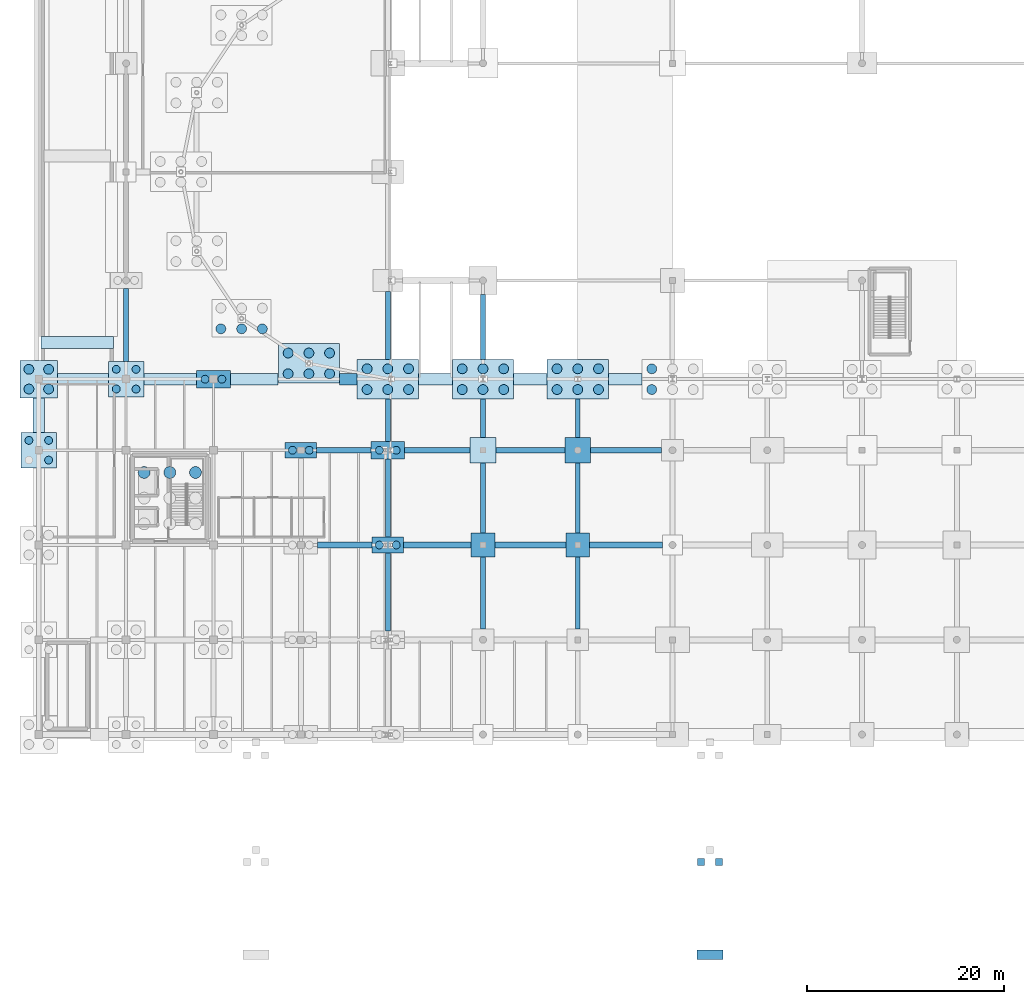
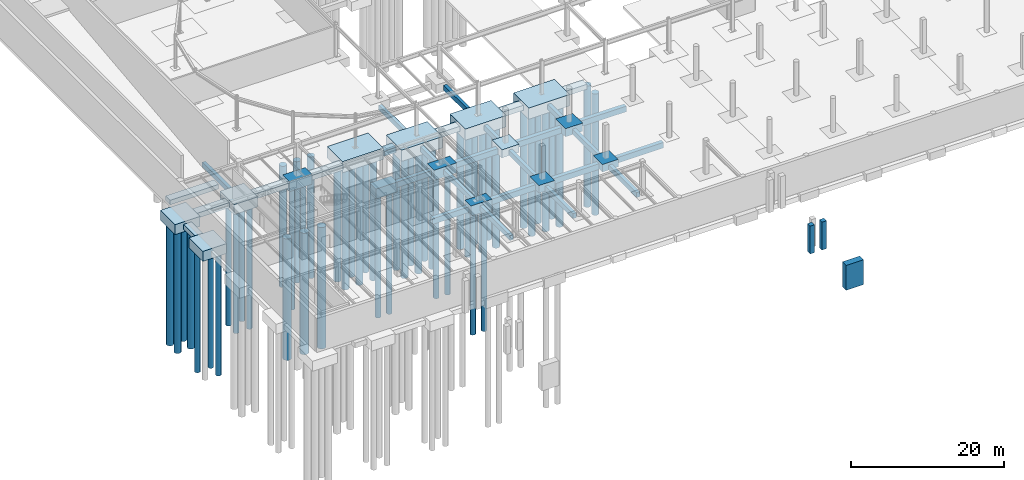
# One storey, part 2 of 50: 51 piles, 47 footings.
"""IFC4 building model written with IfcOpenShell, lengths in metres."""

import ifcopenshell
import ifcopenshell.guid

model = None  # the IFC model being written
_history = None  # IfcOwnerHistory: only IFC2X3 demands one
_inside = {}  # id of a spatial element -> (the spatial element, [elements in it])
_under = {}  # id of a project, library or spatial element -> (it, [spatial elements below it])
_declared = {}  # id of a project -> (the project, [libraries it declares])
_typed = {}  # id of a type object -> (the type object, [elements of that type])
_made_of = {}  # id of a material, layer set ... -> (it, [elements and type objects made of it])


def new_model(schema):
    """Start an empty IFC model of exactly this schema.

    Asked for "IFC4X3", IfcOpenShell would pick the latest addendum, in which some entities
    have other attributes; the version numbers below select the first issue.
    IFC2X3 requires an IfcOwnerHistory on every rooted entity: one is made here for all.
    """
    global model, _history
    if schema == "IFC4X3":
        model = ifcopenshell.file(schema_version=(4, 3, 0, 0))
    else:
        model = ifcopenshell.file(schema=schema)
    _inside.clear()
    _under.clear()
    _declared.clear()
    _typed.clear()
    _made_of.clear()
    _history = None
    if model.schema == "IFC2X3":
        org = make("IfcOrganization", Name="unknown")
        user = make(
            "IfcPersonAndOrganization",
            ThePerson=make("IfcPerson", FamilyName="unknown"),
            TheOrganization=org,
        )
        app = make(
            "IfcApplication",
            ApplicationDeveloper=org,
            Version="unknown",
            ApplicationFullName="unknown",
            ApplicationIdentifier="unknown",
        )
        _history = make(
            "IfcOwnerHistory",
            OwningUser=user,
            OwningApplication=app,
            ChangeAction="ADDED",
            CreationDate=0,
        )
    return model


def make(cls, **values):
    """One entity of the class cls with the attributes given. An attribute that is None is left unset."""
    return model.create_entity(
        cls, **{name: value for name, value in values.items() if value is not None}
    )


def rooted(cls, **values):
    """An entity with a GlobalId (a new one), such as an element, a storey or a relation."""
    return make(cls, GlobalId=ifcopenshell.guid.new(), OwnerHistory=_history, **values)


def si_unit(unit_type, name, prefix=None):
    """IfcSIUnit, for example si_unit("LENGTHUNIT", "METRE", prefix="MILLI")."""
    return make("IfcSIUnit", UnitType=unit_type, Prefix=prefix, Name=name)


def assignment(units):
    """IfcUnitAssignment: the units of a project."""
    return None if units is None else make("IfcUnitAssignment", Units=units)


def point(xyz):
    """IfcCartesianPoint."""
    return None if xyz is None else make("IfcCartesianPoint", Coordinates=xyz)


def direction(xyz):
    """IfcDirection."""
    return None if xyz is None else make("IfcDirection", DirectionRatios=xyz)


def frame(location, z_axis=None, x_axis=None):
    """IfcAxis2Placement3D, a coordinate frame: its origin and axes. An axis left out is left unset."""
    return make(
        "IfcAxis2Placement3D",
        Location=point(location),
        Axis=direction(z_axis),
        RefDirection=direction(x_axis),
    )


def frame_2d(location, x_axis=None):
    """IfcAxis2Placement2D, a coordinate frame in the plane: its origin and x axis."""
    return make(
        "IfcAxis2Placement2D", Location=point(location), RefDirection=direction(x_axis)
    )


def origin():
    """The frame at (0, 0, 0) with its axes left unset."""
    return frame((0.0, 0.0, 0.0))


def origin_2d():
    """The frame at (0, 0) in the plane with its x axis left unset."""
    return frame_2d((0.0, 0.0))


def place(relative_to, where):
    """IfcLocalPlacement: puts the frame where relative to a parent placement (None: the world)."""
    return make(
        "IfcLocalPlacement", PlacementRelTo=relative_to, RelativePlacement=where
    )


def context(
    kind, dimensions, precision=None, world=None, true_north=None, identifier=None
):
    """IfcGeometricRepresentationContext, for example the 3D "Model" context."""
    return make(
        "IfcGeometricRepresentationContext",
        ContextIdentifier=identifier,
        ContextType=kind,
        CoordinateSpaceDimension=dimensions,
        Precision=precision,
        WorldCoordinateSystem=world,
        TrueNorth=true_north,
    )


def subcontext(parent, identifier, kind, view, scale=None):
    """IfcGeometricRepresentationSubContext, for example "Body" below "Model"."""
    return make(
        "IfcGeometricRepresentationSubContext",
        ContextIdentifier=identifier,
        ContextType=kind,
        ParentContext=parent,
        TargetScale=scale,
        TargetView=view,
    )


def project(units=None, contexts=None):
    """IfcProject with its units and contexts."""
    return rooted(
        "IfcProject",
        Name="project",
        RepresentationContexts=contexts,
        UnitsInContext=assignment(units),
    )


def spatial(cls, under=None, at=None, **own):
    """A site, building, storey or space (cls), placed at a placement, below another one or the project."""
    s = rooted(cls, ObjectPlacement=at, **own)
    if under is not None:
        _under.setdefault(under.id(), (under, []))[1].append(s)
    return s


def polyline(points):
    """IfcPolyline through the points."""
    return make("IfcPolyline", Points=[point(p) for p in points])


def profile(cls, at=None, kind="AREA", **sizes):
    """A parametric profile (cls). Its sizes go by their IFC names, for example OverallWidth=200.0."""
    return make(cls, ProfileType=kind, Position=at, **sizes)


def rectangle(**sizes):
    """IfcRectangleProfileDef."""
    return profile("IfcRectangleProfileDef", **sizes)


def circle(**sizes):
    """IfcCircleProfileDef."""
    return profile("IfcCircleProfileDef", **sizes)


def outline(outer, holes=None, kind="AREA"):
    """IfcArbitraryClosedProfileDef: a profile drawn as a closed curve; with holes, ...WithVoids."""
    if holes is None:
        return make("IfcArbitraryClosedProfileDef", ProfileType=kind, OuterCurve=outer)
    return make(
        "IfcArbitraryProfileDefWithVoids",
        ProfileType=kind,
        OuterCurve=outer,
        InnerCurves=holes,
    )


def extrude(swept, where, along, depth):
    """IfcExtrudedAreaSolid: the profile swept, set in the frame where, extruded along a direction by depth."""
    return make(
        "IfcExtrudedAreaSolid",
        SweptArea=swept,
        Position=where,
        ExtrudedDirection=direction(along),
        Depth=depth,
    )


def shape(context_of_items, identifier, shape_type, items):
    """IfcShapeRepresentation: the items that make up one representation, for example the "Body"."""
    return make(
        "IfcShapeRepresentation",
        ContextOfItems=context_of_items,
        RepresentationIdentifier=identifier,
        RepresentationType=shape_type,
        Items=items,
    )


def material(Name=None, Category=None):
    """IfcMaterial."""
    return make("IfcMaterial", Name=Name, Category=Category)


def material_profile(
    of_material, cross_section, Name=None, Category=None, Priority=None
):
    """IfcMaterialProfile: a cross section and its material."""
    return make(
        "IfcMaterialProfile",
        Name=Name,
        Material=of_material,
        Profile=cross_section,
        Priority=Priority,
        Category=Category,
    )


def profile_set(profiles, Name=None, composite=None):
    """IfcMaterialProfileSet."""
    return make(
        "IfcMaterialProfileSet",
        Name=Name,
        MaterialProfiles=profiles,
        CompositeProfile=composite,
    )


def made_of(thing, what):
    """Note that an element or type object is made of a material, layer set ...; save() writes the relation."""
    if what is not None:
        _made_of.setdefault(what.id(), (what, []))[1].append(thing)
    return thing


def type_object(cls, material=None, **own):
    """A type object (cls), such as IfcWallType, which elements share."""
    return made_of(rooted(cls, **own), material)


def element(
    cls,
    number,
    at=None,
    inside=None,
    cuts=None,
    type_object=None,
    material=None,
    context=None,
    identifier="Body",
    shape_type=None,
    held_by="IfcProductDefinitionShape",
    body=None,
    shapes=None,
    **own,
):
    """One element of the class cls, such as IfcWall. Its Tag is "e" and its number.

    at: its placement. inside: the storey or other place that contains it. cuts: it is an
    opening in that element (IfcRelVoidsElement). A single representation is given by context,
    identifier, shape_type and body (its items); several are given by shapes. held_by: the class
    of the entity that holds the representations. save() writes the other relations.
    """
    e = rooted(cls, Tag="e%d" % number, ObjectPlacement=at, **own)
    if body is not None:
        shapes = [shape(context, identifier, shape_type, body)]
    if shapes is not None:
        e.Representation = make(held_by, Representations=shapes)
    if inside is not None:
        _inside.setdefault(inside.id(), (inside, []))[1].append(e)
    if cuts is not None:
        rooted(
            "IfcRelVoidsElement", RelatingBuildingElement=cuts, RelatedOpeningElement=e
        )
    if type_object is not None:
        _typed.setdefault(type_object.id(), (type_object, []))[1].append(e)
    return made_of(e, material)


def aggregate(whole, parts):
    """IfcRelAggregates: a whole, such as a stair, and the parts it consists of."""
    return rooted("IfcRelAggregates", RelatingObject=whole, RelatedObjects=parts)


def save(model, path):
    """Write the relations noted so far, then the file.

    IfcRelAggregates (storeys below a building ...), IfcRelContainedInSpatialStructure (elements
    in a storey), IfcRelDefinesByType, IfcRelAssociatesMaterial and IfcRelDeclares: one each for
    every whole, place, type object, material and project.
    """
    for whole, parts in _under.values():
        aggregate(whole, parts)
    for where, things in _inside.values():
        rooted(
            "IfcRelContainedInSpatialStructure",
            RelatedElements=things,
            RelatingStructure=where,
        )
    for kind, things in _typed.values():
        rooted("IfcRelDefinesByType", RelatedObjects=things, RelatingType=kind)
    for what, things in _made_of.values():
        rooted("IfcRelAssociatesMaterial", RelatedObjects=things, RelatingMaterial=what)
    for by, libraries in _declared.values():
        rooted("IfcRelDeclares", RelatingContext=by, RelatedDefinitions=libraries)
    model.write(path)


model = new_model("IFC4")

# Units and contexts
model_context = context("Model", 3, precision=1e-05, world=origin(), true_north=direction((0.0, 1.0)))
body_context = subcontext(model_context, "Body", "Model", "MODEL_VIEW")
ifc_project = project(units=[si_unit("LENGTHUNIT", "METRE"), si_unit("AREAUNIT", "SQUARE_METRE"), si_unit("VOLUMEUNIT", "CUBIC_METRE"), si_unit("PLANEANGLEUNIT", "RADIAN"), si_unit("MASSUNIT", "GRAM", prefix="KILO")], contexts=[model_context])

# Site, building, storey
site_placement = place(None, origin())
site = spatial("IfcSite", under=ifc_project, at=site_placement, CompositionType="ELEMENT")
building_placement = place(site_placement, origin())
building = spatial("IfcBuilding", under=site, at=building_placement, Name="Yeouljin Market Hall", CompositionType="ELEMENT")
storey_placement = place(building_placement, frame((0.0, 0.0, -5.39990234375)))
storey = spatial("IfcBuildingStorey", under=building, at=storey_placement, Name="B1", CompositionType="ELEMENT", Elevation=-5.39990234375)

# Footings
ifc_material_1 = material(Name="Concrete C35/45", Category="concrete")
ifc_material_profile_1 = material_profile(ifc_material_1, rectangle(XDim=0.5, YDim=0.800048828125, at=origin_2d()), Name="RC-500x800")
ifc_profile_set_1 = profile_set([ifc_material_profile_1], Name="Concrete C35/45")
footing_type_1 = type_object("IfcFootingType", Name="FootingBeam_500x800", PredefinedType="FOOTING_BEAM", material=ifc_profile_set_1)
footing_1_placement = place(storey_placement, frame((8.85009765625, 37.81005859375, -0.800048828125), z_axis=(0.0, 1.0, 0.0), x_axis=(-1.0, 0.0, 0.0)))
element("IfcFooting", 1, at=footing_1_placement, inside=storey, type_object=footing_type_1, Name="Foundation tie beam Y-142", PredefinedType="FOOTING_BEAM", context=body_context, shape_type="SweptSolid", body=[
    extrude(rectangle(XDim=0.5, YDim=0.800048828125, at=origin_2d()), origin(), (0.0, 0.0, 1.0), 7.3798828125),
])
for number, where, z_axis, x_axis, name in (
    (2, (35.360107421875, 10.510009765625, -0.800048828125), (0.0, 1.0, 0.0), (-1.0, 0.0, 0.0), "Foundation tie beam Y-155"),
    (3, (35.360107421875, 20.010009765625, -0.800048828125), (0.0, 1.0, 0.0), (-1.0, 0.0, 0.0), "Foundation tie beam Y-156"),
):
    element("IfcFooting", number, at=place(storey_placement, frame(where, z_axis=z_axis, x_axis=x_axis)), inside=storey, type_object=footing_type_1, Name=name, PredefinedType="FOOTING_BEAM", context=body_context, shape_type="SweptSolid", body=[
        extrude(rectangle(XDim=0.5, YDim=0.800048828125, at=origin_2d()), origin(), (0.0, 0.0, 1.0), 7.8798828125),
    ])
footing_2_placement = place(storey_placement, frame((35.360107421875, 29.7099609375, -0.800048828125), z_axis=(0.0, 1.0, 0.0), x_axis=(-1.0, 0.0, 0.0)))
element("IfcFooting", 4, at=footing_2_placement, inside=storey, type_object=footing_type_1, Name="Foundation tie beam Y-157", PredefinedType="FOOTING_BEAM", context=body_context, shape_type="SweptSolid", body=[
    extrude(rectangle(XDim=0.5, YDim=0.800048828125, at=origin_2d()), origin(), (0.0, 0.0, 1.0), 4.280029296875),
])
footing_3_placement = place(storey_placement, frame((35.360107421875, 38.010009765625, -0.800048828125), z_axis=(0.0, 1.0, 0.0), x_axis=(-1.0, 0.0, 0.0)))
element("IfcFooting", 5, at=footing_3_placement, inside=storey, type_object=footing_type_1, Name="Foundation tie beam Y-158", PredefinedType="FOOTING_BEAM", context=body_context, shape_type="SweptSolid", body=[
    extrude(rectangle(XDim=0.5, YDim=0.800048828125, at=origin_2d()), origin(), (0.0, 0.0, 1.0), 6.8798828125),
])
footing_4_placement = place(storey_placement, frame((45.0, 10.7099609375, -0.800048828125), z_axis=(0.0, 1.0, 0.0), x_axis=(-1.0, 0.0, 0.0)))
element("IfcFooting", 6, at=footing_4_placement, inside=storey, type_object=footing_type_1, Name="Foundation tie beam Y-164", PredefinedType="FOOTING_BEAM", context=body_context, shape_type="SweptSolid", body=[
    extrude(rectangle(XDim=0.5, YDim=0.800048828125, at=origin_2d()), origin(), (0.0, 0.0, 1.0), 7.280029296875),
])
footing_5_placement = place(storey_placement, frame((45.0, 20.409912109375, -0.800048828125), z_axis=(0.0, 1.0, 0.0), x_axis=(-1.0, 0.0, 0.0)))
element("IfcFooting", 7, at=footing_5_placement, inside=storey, type_object=footing_type_1, Name="Foundation tie beam Y-165", PredefinedType="FOOTING_BEAM", context=body_context, shape_type="SweptSolid", body=[
    extrude(rectangle(XDim=0.5, YDim=0.800048828125, at=origin_2d()), origin(), (0.0, 0.0, 1.0), 7.080078125),
])
footing_6_placement = place(storey_placement, frame((45.0, 30.110107421875, -0.800048828125), z_axis=(0.0, 1.0, 0.0), x_axis=(-1.0, 0.0, 0.0)))
element("IfcFooting", 8, at=footing_6_placement, inside=storey, type_object=footing_type_1, Name="Foundation tie beam Y-166", PredefinedType="FOOTING_BEAM", context=body_context, shape_type="SweptSolid", body=[
    extrude(rectangle(XDim=0.5, YDim=0.800048828125, at=origin_2d()), origin(), (0.0, 0.0, 1.0), 3.8798828125),
])
footing_7_placement = place(storey_placement, frame((45.0, 38.010009765625, -0.800048828125), z_axis=(0.0, 1.0, 0.0), x_axis=(-1.0, 0.0, 0.0)))
element("IfcFooting", 9, at=footing_7_placement, inside=storey, type_object=footing_type_1, Name="Foundation tie beam Y-167", PredefinedType="FOOTING_BEAM", context=body_context, shape_type="SweptSolid", body=[
    extrude(rectangle(XDim=0.5, YDim=0.800048828125, at=origin_2d()), origin(), (0.0, 0.0, 1.0), 6.580078125),
])
footing_8_placement = place(storey_placement, frame((54.60009765625, 10.7099609375, -0.800048828125), z_axis=(0.0, 1.0, 0.0), x_axis=(-1.0, 0.0, 0.0)))
element("IfcFooting", 10, at=footing_8_placement, inside=storey, type_object=footing_type_1, Name="Foundation tie beam Y-174", PredefinedType="FOOTING_BEAM", context=body_context, shape_type="SweptSolid", body=[
    extrude(rectangle(XDim=0.5, YDim=0.800048828125, at=origin_2d()), origin(), (0.0, 0.0, 1.0), 7.280029296875),
])
footing_9_placement = place(storey_placement, frame((54.60009765625, 20.409912109375, -0.800048828125), z_axis=(0.0, 1.0, 0.0), x_axis=(-1.0, 0.0, 0.0)))
element("IfcFooting", 11, at=footing_9_placement, inside=storey, type_object=footing_type_1, Name="Foundation tie beam Y-175", PredefinedType="FOOTING_BEAM", context=body_context, shape_type="SweptSolid", body=[
    extrude(rectangle(XDim=0.5, YDim=0.800048828125, at=origin_2d()), origin(), (0.0, 0.0, 1.0), 7.080078125),
])
footing_10_placement = place(storey_placement, frame((54.60009765625, 30.110107421875, -0.800048828125), z_axis=(0.0, 1.0, 0.0), x_axis=(-1.0, 0.0, 0.0)))
element("IfcFooting", 12, at=footing_10_placement, inside=storey, type_object=footing_type_1, Name="Foundation tie beam Y-176", PredefinedType="FOOTING_BEAM", context=body_context, shape_type="SweptSolid", body=[
    extrude(rectangle(XDim=0.5, YDim=0.800048828125, at=origin_2d()), origin(), (0.0, 0.0, 1.0), 3.8798828125),
])
ifc_material_2 = material(Name="Concrete C35/45", Category="concrete")
ifc_material_profile_2 = material_profile(ifc_material_2, rectangle(XDim=0.60009765625, YDim=0.89990234375, at=origin_2d()), Name="RC-600x900")
ifc_profile_set_2 = profile_set([ifc_material_profile_2], Name="Concrete C35/45")
footing_type_2 = type_object("IfcFootingType", Name="FootingBeam_600x900", PredefinedType="FOOTING_BEAM", material=ifc_profile_set_2)
footing_11_placement = place(storey_placement, frame((28.260009765625, 19.199951171875, -0.85009765625), z_axis=(1.0, 0.0, 0.0), x_axis=(0.0, 1.0, 0.0)))
element("IfcFooting", 13, at=footing_11_placement, inside=storey, type_object=footing_type_2, Name="Foundation tie beam X-039", PredefinedType="FOOTING_BEAM", context=body_context, shape_type="SweptSolid", body=[
    extrude(rectangle(XDim=0.60009765625, YDim=0.89990234375, at=origin_2d()), origin(), (0.0, 0.0, 1.0), 5.489990234375),
])
footing_12_placement = place(storey_placement, frame((36.969970703125, 19.199951171875, -0.85009765625), z_axis=(1.0, 0.0, 0.0), x_axis=(0.0, 1.0, 0.0)))
element("IfcFooting", 14, at=footing_12_placement, inside=storey, type_object=footing_type_2, Name="Foundation tie beam X-040", PredefinedType="FOOTING_BEAM", context=body_context, shape_type="SweptSolid", body=[
    extrude(rectangle(XDim=0.60009765625, YDim=0.89990234375, at=origin_2d()), origin(), (0.0, 0.0, 1.0), 6.820068359375),
])
footing_13_placement = place(storey_placement, frame((46.2099609375, 19.199951171875, -0.85009765625), z_axis=(1.0, 0.0, 0.0), x_axis=(0.0, 1.0, 0.0)))
element("IfcFooting", 15, at=footing_13_placement, inside=storey, type_object=footing_type_2, Name="Foundation tie beam X-041", PredefinedType="FOOTING_BEAM", context=body_context, shape_type="SweptSolid", body=[
    extrude(rectangle(XDim=0.60009765625, YDim=0.89990234375, at=origin_2d()), origin(), (0.0, 0.0, 1.0), 7.179931640625),
])
footing_14_placement = place(storey_placement, frame((55.81005859375, 19.199951171875, -0.85009765625), z_axis=(1.0, 0.0, 0.0), x_axis=(0.0, 1.0, 0.0)))
element("IfcFooting", 16, at=footing_14_placement, inside=storey, type_object=footing_type_2, Name="Foundation tie beam X-042", PredefinedType="FOOTING_BEAM", context=body_context, shape_type="SweptSolid", body=[
    extrude(rectangle(XDim=0.60009765625, YDim=0.89990234375, at=origin_2d()), origin(), (0.0, 0.0, 1.0), 7.3798828125),
])
footing_15_placement = place(storey_placement, frame((28.159912109375, 28.800048828125, -0.85009765625), z_axis=(1.0, 0.0, 0.0), x_axis=(0.0, 1.0, 0.0)))
element("IfcFooting", 17, at=footing_15_placement, inside=storey, type_object=footing_type_2, Name="Foundation tie beam X-052", PredefinedType="FOOTING_BEAM", context=body_context, shape_type="SweptSolid", body=[
    extrude(rectangle(XDim=0.60009765625, YDim=0.89990234375, at=origin_2d()), origin(), (0.0, 0.0, 1.0), 5.489990234375),
])
footing_16_placement = place(storey_placement, frame((37.070068359375, 28.800048828125, -0.85009765625), z_axis=(1.0, 0.0, 0.0), x_axis=(0.0, 1.0, 0.0)))
element("IfcFooting", 18, at=footing_16_placement, inside=storey, type_object=footing_type_2, Name="Foundation tie beam X-053", PredefinedType="FOOTING_BEAM", context=body_context, shape_type="SweptSolid", body=[
    extrude(rectangle(XDim=0.60009765625, YDim=0.89990234375, at=origin_2d()), origin(), (0.0, 0.0, 1.0), 6.619873046875),
])
footing_17_placement = place(storey_placement, frame((46.31005859375, 28.800048828125, -0.85009765625), z_axis=(1.0, 0.0, 0.0), x_axis=(0.0, 1.0, 0.0)))
element("IfcFooting", 19, at=footing_17_placement, inside=storey, type_object=footing_type_2, Name="Foundation tie beam X-054", PredefinedType="FOOTING_BEAM", context=body_context, shape_type="SweptSolid", body=[
    extrude(rectangle(XDim=0.60009765625, YDim=0.89990234375, at=origin_2d()), origin(), (0.0, 0.0, 1.0), 6.97998046875),
])
footing_18_placement = place(storey_placement, frame((55.909912109375, 28.800048828125, -0.85009765625), z_axis=(1.0, 0.0, 0.0), x_axis=(0.0, 1.0, 0.0)))
element("IfcFooting", 20, at=footing_18_placement, inside=storey, type_object=footing_type_2, Name="Foundation tie beam X-055", PredefinedType="FOOTING_BEAM", context=body_context, shape_type="SweptSolid", body=[
    extrude(rectangle(XDim=0.60009765625, YDim=0.89990234375, at=origin_2d()), origin(), (0.0, 0.0, 1.0), 7.18017578125),
])
ifc_material_3 = material(Name="Concrete C35/45", Category="concrete")
footing_type_3 = type_object("IfcFootingType", Name="PadFooting_2400x2400x1200", PredefinedType="PAD_FOOTING", material=ifc_material_3)
footing_19_placement = place(storey_placement, frame((0.0, 0.0, -1.2001953125)))
element("IfcFooting", 21, at=footing_19_placement, inside=storey, type_object=footing_type_3, Name="Pile cap FPAD-013", PredefinedType="PAD_FOOTING", context=body_context, shape_type="SweptSolid", body=[
    extrude(outline(polyline([(43.800048828125, 18.0), (46.199951171875, 18.0), (46.199951171875, 20.39990234375), (43.800048828125, 20.39990234375), (43.800048828125, 18.0)])), origin(), (0.0, 0.0, 1.0), 1.2001953125),
])
footing_20_placement = place(storey_placement, frame((0.0, 0.0, -1.2001953125)))
element("IfcFooting", 22, at=footing_20_placement, inside=storey, type_object=footing_type_3, Name="Pile cap FPAD-023", PredefinedType="PAD_FOOTING", context=body_context, shape_type="SweptSolid", body=[
    extrude(outline(polyline([(53.39990234375, 18.0), (55.800048828125, 18.0), (55.800048828125, 20.39990234375), (53.39990234375, 20.39990234375), (53.39990234375, 18.0)])), origin(), (0.0, 0.0, 1.0), 1.2001953125),
])
ifc_material_4 = material(Name="Concrete C35/45", Category="concrete")
footing_type_4 = type_object("IfcFootingType", Name="PadFooting_2600x2600x1300", PredefinedType="PAD_FOOTING", material=ifc_material_4)
footing_21_placement = place(storey_placement, frame((0.0, 0.0, -1.300048828125)))
element("IfcFooting", 23, at=footing_21_placement, inside=storey, type_object=footing_type_4, Name="Pile cap FPAD-014", PredefinedType="PAD_FOOTING", context=body_context, shape_type="SweptSolid", body=[
    extrude(outline(polyline([(43.699951171875, 27.5), (46.300048828125, 27.5), (46.300048828125, 30.10009765625), (43.699951171875, 30.10009765625), (43.699951171875, 27.5)])), origin(), (0.0, 0.0, 1.0), 1.300048828125),
])
footing_22_placement = place(storey_placement, frame((0.0, 0.0, -1.300048828125)))
element("IfcFooting", 24, at=footing_22_placement, inside=storey, type_object=footing_type_4, Name="Pile cap FPAD-024", PredefinedType="PAD_FOOTING", context=body_context, shape_type="SweptSolid", body=[
    extrude(outline(polyline([(53.300048828125, 27.5), (55.89990234375, 27.5), (55.89990234375, 30.10009765625), (53.300048828125, 30.10009765625), (53.300048828125, 27.5)])), origin(), (0.0, 0.0, 1.0), 1.300048828125),
])
ifc_material_5 = material(Name="Concrete C35/45", Category="concrete")
footing_type_5 = type_object("IfcFootingType", Name="PierFooting_Ped_2600x1000x3960", PredefinedType="PAD_FOOTING", material=ifc_material_5)
footing_23_placement = place(storey_placement, origin())
element("IfcFooting", 25, at=footing_23_placement, inside=storey, type_object=footing_type_5, Name="Pedestrian ramp foundation pier RMP-PED-02-FBOT", PredefinedType="PAD_FOOTING", context=body_context, shape_type="SweptSolid", body=[
    extrude(outline(polyline([(66.699951171875, -22.800048828125), (69.300048828125, -22.800048828125), (69.300048828125, -21.800048828125), (66.699951171875, -21.800048828125), (66.699951171875, -22.800048828125)])), origin(), (0.0, 0.0, 1.0), 3.9599609375),
])
ifc_material_6 = material(Name="Concrete C35/45", Category="concrete")
footing_type_6 = type_object("IfcFootingType", Name="PierFooting_Ped_700x700x4430", PredefinedType="PAD_FOOTING", material=ifc_material_6)
footing_24_placement = place(storey_placement, origin())
element("IfcFooting", 26, at=footing_24_placement, inside=storey, type_object=footing_type_6, Name="Pedestrian ramp foundation pier RMP-PED-02-FMID1", PredefinedType="PAD_FOOTING", context=body_context, shape_type="SweptSolid", body=[
    extrude(outline(polyline([(66.75, -13.25), (67.449951171875, -13.25), (67.449951171875, -12.550048828125), (66.75, -12.550048828125), (66.75, -13.25)])), origin(), (0.0, 0.0, 1.0), 4.429931640625),
])
footing_25_placement = place(storey_placement, origin())
element("IfcFooting", 27, at=footing_25_placement, inside=storey, type_object=footing_type_6, Name="Pedestrian ramp foundation pier RMP-PED-02-FMID2", PredefinedType="PAD_FOOTING", context=body_context, shape_type="SweptSolid", body=[
    extrude(outline(polyline([(68.550048828125, -13.25), (69.25, -13.25), (69.25, -12.550048828125), (68.550048828125, -12.550048828125), (68.550048828125, -13.25)])), origin(), (0.0, 0.0, 1.0), 4.429931640625),
])
ifc_material_7 = material(Name="Concrete C35/45", Category="concrete")
footing_type_7 = type_object("IfcFootingType", Name="PierFooting_Veh_7320x1200x720", PredefinedType="PAD_FOOTING", material=ifc_material_7)
footing_26_placement = place(storey_placement, frame((0.0, 0.0, -0.6201171875)))
element("IfcFooting", 28, at=footing_26_placement, inside=storey, type_object=footing_type_7, Name="Vehicular ramp support pier 1", PredefinedType="PAD_FOOTING", context=body_context, shape_type="SweptSolid", body=[
    extrude(outline(polyline([(0.239990234375, 39.10009765625), (7.56005859375, 39.10009765625), (7.56005859375, 40.300048828125), (0.239990234375, 40.300048828125), (0.239990234375, 39.10009765625)])), origin(), (0.0, 0.0, 1.0), 0.719970703125),
])
ifc_material_8 = material(Name="Concrete C35/45", Category="concrete")
footing_type_8 = type_object("IfcFootingType", Name="PileCap_2P_3200x1600x1600", PredefinedType="PILE_CAP", material=ifc_material_8)
footing_27_placement = place(storey_placement, frame((0.0, 0.0, -1.60009765625)))
element("IfcFooting", 29, at=footing_27_placement, inside=storey, type_object=footing_type_8, Name="Pile cap FCAP-C033", PredefinedType="PILE_CAP", context=body_context, shape_type="SweptSolid", body=[
    extrude(outline(polyline([(24.949951171875, 28.0), (28.14990234375, 28.0), (28.14990234375, 29.60009765625), (24.949951171875, 29.60009765625), (24.949951171875, 28.0)])), origin(), (0.0, 0.0, 1.0), 1.60009765625),
])
footing_28_placement = place(storey_placement, frame((0.0, 0.0, -1.60009765625)))
element("IfcFooting", 30, at=footing_28_placement, inside=storey, type_object=footing_type_8, Name="Pile cap FCAP-C039", PredefinedType="PILE_CAP", context=body_context, shape_type="SweptSolid", body=[
    extrude(outline(polyline([(33.760009765625, 18.39990234375), (36.9599609375, 18.39990234375), (36.9599609375, 20.0), (33.760009765625, 20.0), (33.760009765625, 18.39990234375)])), origin(), (0.0, 0.0, 1.0), 1.60009765625),
])
ifc_material_9 = material(Name="Concrete C35/45", Category="concrete")
footing_type_9 = type_object("IfcFootingType", Name="PileCap_2P_3400x1800x1600", PredefinedType="PILE_CAP", material=ifc_material_9)
footing_29_placement = place(storey_placement, frame((0.0, 0.0, -1.60009765625)))
element("IfcFooting", 31, at=footing_29_placement, inside=storey, type_object=footing_type_9, Name="Pile cap FCAP-C025", PredefinedType="PILE_CAP", context=body_context, shape_type="SweptSolid", body=[
    extrude(outline(polyline([(16.0, 35.10009765625), (19.39990234375, 35.10009765625), (19.39990234375, 36.89990234375), (16.0, 36.89990234375), (16.0, 35.10009765625)])), origin(), (0.0, 0.0, 1.0), 1.60009765625),
])
footing_30_placement = place(storey_placement, frame((0.0, 0.0, -1.60009765625)))
element("IfcFooting", 32, at=footing_30_placement, inside=storey, type_object=footing_type_9, Name="Pile cap FCAP-C040", PredefinedType="PILE_CAP", context=body_context, shape_type="SweptSolid", body=[
    extrude(outline(polyline([(33.659912109375, 27.89990234375), (37.06005859375, 27.89990234375), (37.06005859375, 29.699951171875), (33.659912109375, 29.699951171875), (33.659912109375, 27.89990234375)])), origin(), (0.0, 0.0, 1.0), 1.60009765625),
])
ifc_material_10 = material(Name="Concrete C35/45", Category="concrete")
footing_type_10 = type_object("IfcFootingType", Name="PileCap_4P_3600x3600x1600", PredefinedType="PILE_CAP", material=ifc_material_10)
footing_31_placement = place(storey_placement, frame((0.0, 0.0, -1.60009765625)))
element("IfcFooting", 33, at=footing_31_placement, inside=storey, type_object=footing_type_10, Name="Pile cap FCAP-C003", PredefinedType="PILE_CAP", context=body_context, shape_type="SweptSolid", body=[
    extrude(outline(polyline([(-1.800048828125, 27.0), (1.800048828125, 27.0), (1.800048828125, 30.60009765625), (-1.800048828125, 30.60009765625), (-1.800048828125, 27.0)])), origin(), (0.0, 0.0, 1.0), 1.60009765625),
])
footing_32_placement = place(storey_placement, frame((0.0, 0.0, -1.60009765625)))
element("IfcFooting", 34, at=footing_32_placement, inside=storey, type_object=footing_type_10, Name="Pile cap FCAP-C011", PredefinedType="PILE_CAP", context=body_context, shape_type="SweptSolid", body=[
    extrude(outline(polyline([(7.050048828125, 34.199951171875), (10.64990234375, 34.199951171875), (10.64990234375, 37.800048828125), (7.050048828125, 37.800048828125), (7.050048828125, 34.199951171875)])), origin(), (0.0, 0.0, 1.0), 1.60009765625),
])
ifc_material_11 = material(Name="Concrete C35/45", Category="concrete")
footing_type_11 = type_object("IfcFootingType", Name="PileCap_4P_3800x3800x1600", PredefinedType="PILE_CAP", material=ifc_material_11)
footing_33_placement = place(storey_placement, frame((0.0, 0.0, -1.60009765625)))
element("IfcFooting", 35, at=footing_33_placement, inside=storey, type_object=footing_type_11, Name="Pile cap FCAP-C004", PredefinedType="PILE_CAP", context=body_context, shape_type="SweptSolid", body=[
    extrude(outline(polyline([(-1.89990234375, 34.10009765625), (1.89990234375, 34.10009765625), (1.89990234375, 37.89990234375), (-1.89990234375, 37.89990234375), (-1.89990234375, 34.10009765625)])), origin(), (0.0, 0.0, 1.0), 1.60009765625),
])
ifc_material_12 = material(Name="Concrete C35/45", Category="concrete")
footing_type_12 = type_object("IfcFootingType", Name="PileCap_6P_6200x4000x1800", PredefinedType="PILE_CAP", material=ifc_material_12)
footing_34_placement = place(storey_placement, frame((0.0, 0.0, -1.800048828125)))
element("IfcFooting", 36, at=footing_34_placement, inside=storey, type_object=footing_type_12, Name="Pile cap FCAP-C035", PredefinedType="PILE_CAP", context=body_context, shape_type="SweptSolid", body=[
    extrude(outline(polyline([(24.263916015625, 35.59912109375), (30.464111328125, 35.59912109375), (30.464111328125, 39.59912109375), (24.263916015625, 39.59912109375), (24.263916015625, 35.59912109375)])), origin(), (0.0, 0.0, 1.0), 1.800048828125),
])
footing_35_placement = place(storey_placement, frame((0.0, 0.0, -1.800048828125)))
element("IfcFooting", 37, at=footing_35_placement, inside=storey, type_object=footing_type_12, Name="Pile cap FCAP-C041", PredefinedType="PILE_CAP", context=body_context, shape_type="SweptSolid", body=[
    extrude(outline(polyline([(32.260009765625, 34.0), (38.4599609375, 34.0), (38.4599609375, 38.0), (32.260009765625, 38.0), (32.260009765625, 34.0)])), origin(), (0.0, 0.0, 1.0), 1.800048828125),
])
footing_36_placement = place(storey_placement, frame((0.0, 0.0, -1.800048828125)))
element("IfcFooting", 38, at=footing_36_placement, inside=storey, type_object=footing_type_12, Name="Pile cap FCAP-C051", PredefinedType="PILE_CAP", context=body_context, shape_type="SweptSolid", body=[
    extrude(outline(polyline([(41.89990234375, 34.0), (48.10009765625, 34.0), (48.10009765625, 38.0), (41.89990234375, 38.0), (41.89990234375, 34.0)])), origin(), (0.0, 0.0, 1.0), 1.800048828125),
])
footing_37_placement = place(storey_placement, frame((0.0, 0.0, -1.800048828125)))
element("IfcFooting", 39, at=footing_37_placement, inside=storey, type_object=footing_type_12, Name="Pile cap FCAP-C063", PredefinedType="PILE_CAP", context=body_context, shape_type="SweptSolid", body=[
    extrude(outline(polyline([(51.5, 34.0), (57.699951171875, 34.0), (57.699951171875, 38.0), (51.5, 38.0), (51.5, 34.0)])), origin(), (0.0, 0.0, 1.0), 1.800048828125),
])

# Piles
ifc_material_13 = material(Name="Concrete C35/45", Category="concrete")
ifc_material_profile_3 = material_profile(ifc_material_13, circle(Radius=0.5, at=origin_2d()), Name="PILE-D1000")
ifc_profile_set_3 = profile_set([ifc_material_profile_3], Name="Concrete C35/45")
pile_type_1 = type_object("IfcPileType", Name="Pile_PILE-D1000", PredefinedType="BORED", material=ifc_profile_set_3)
for number, where, z_axis, x_axis, name in (
    (40, (-1.0, 35.0, -1.5), (0.0, 0.0, -1.0), (1.0, 0.0, 0.0), "Bored pile 071"),
    (41, (-1.0, 37.0, -1.5), (0.0, 0.0, -1.0), (1.0, 0.0, 0.0), "Bored pile 072"),
    (42, (1.0, 35.0, -1.5), (0.0, 0.0, -1.0), (1.0, 0.0, 0.0), "Bored pile 073"),
    (43, (1.0, 37.0, -1.5), (0.0, 0.0, -1.0), (1.0, 0.0, 0.0), "Bored pile 074"),
):
    element("IfcPile", number, at=place(storey_placement, frame(where, z_axis=z_axis, x_axis=x_axis)), inside=storey, type_object=pile_type_1, Name=name, PredefinedType="BORED", context=body_context, shape_type="SweptSolid", body=[
        extrude(circle(Radius=0.5, at=origin_2d()), origin(), (0.0, 0.0, 1.0), 19.60009765625),
    ])
for number, where, z_axis, x_axis, name in (
    (44, (18.450927734375, 41.10107421875, -1.7001953125), (0.0, 0.0, -1.0), (1.0, 0.0, 0.0), "Bored pile 121"),
    (45, (20.551025390625, 41.10107421875, -1.7001953125), (0.0, 0.0, -1.0), (1.0, 0.0, 0.0), "Bored pile 123"),
    (46, (22.65087890625, 41.10107421875, -1.7001953125), (0.0, 0.0, -1.0), (1.0, 0.0, 0.0), "Bored pile 125"),
    (47, (25.263916015625, 36.549072265625, -1.7001953125), (0.0, 0.0, -1.0), (1.0, 0.0, 0.0), "Bored pile 141"),
    (48, (25.263916015625, 38.64892578125, -1.7001953125), (0.0, 0.0, -1.0), (1.0, 0.0, 0.0), "Bored pile 142"),
    (49, (27.364013671875, 36.549072265625, -1.7001953125), (0.0, 0.0, -1.0), (1.0, 0.0, 0.0), "Bored pile 143"),
    (50, (27.364013671875, 38.64892578125, -1.7001953125), (0.0, 0.0, -1.0), (1.0, 0.0, 0.0), "Bored pile 144"),
    (51, (29.464111328125, 36.549072265625, -1.7001953125), (0.0, 0.0, -1.0), (1.0, 0.0, 0.0), "Bored pile 145"),
    (52, (29.464111328125, 38.64892578125, -1.7001953125), (0.0, 0.0, -1.0), (1.0, 0.0, 0.0), "Bored pile 146"),
    (53, (33.260009765625, 34.949951171875, -1.7001953125), (0.0, 0.0, -1.0), (1.0, 0.0, 0.0), "Bored pile 161"),
    (54, (33.260009765625, 37.050048828125, -1.7001953125), (0.0, 0.0, -1.0), (1.0, 0.0, 0.0), "Bored pile 162"),
    (55, (35.360107421875, 34.949951171875, -1.7001953125), (0.0, 0.0, -1.0), (1.0, 0.0, 0.0), "Bored pile 163"),
    (56, (35.360107421875, 37.050048828125, -1.7001953125), (0.0, 0.0, -1.0), (1.0, 0.0, 0.0), "Bored pile 164"),
    (57, (37.4599609375, 34.949951171875, -1.7001953125), (0.0, 0.0, -1.0), (1.0, 0.0, 0.0), "Bored pile 165"),
    (58, (37.4599609375, 37.050048828125, -1.7001953125), (0.0, 0.0, -1.0), (1.0, 0.0, 0.0), "Bored pile 166"),
    (59, (42.89990234375, 34.949951171875, -1.7001953125), (0.0, 0.0, -1.0), (1.0, 0.0, 0.0), "Bored pile 175"),
    (60, (42.89990234375, 37.050048828125, -1.7001953125), (0.0, 0.0, -1.0), (1.0, 0.0, 0.0), "Bored pile 176"),
    (61, (45.0, 34.949951171875, -1.7001953125), (0.0, 0.0, -1.0), (1.0, 0.0, 0.0), "Bored pile 177"),
    (62, (45.0, 37.050048828125, -1.7001953125), (0.0, 0.0, -1.0), (1.0, 0.0, 0.0), "Bored pile 178"),
    (63, (47.10009765625, 34.949951171875, -1.7001953125), (0.0, 0.0, -1.0), (1.0, 0.0, 0.0), "Bored pile 179"),
    (64, (47.10009765625, 37.050048828125, -1.7001953125), (0.0, 0.0, -1.0), (1.0, 0.0, 0.0), "Bored pile 180"),
    (65, (52.5, 34.949951171875, -1.7001953125), (0.0, 0.0, -1.0), (1.0, 0.0, 0.0), "Bored pile 187"),
    (66, (52.5, 37.050048828125, -1.7001953125), (0.0, 0.0, -1.0), (1.0, 0.0, 0.0), "Bored pile 188"),
    (67, (54.60009765625, 34.949951171875, -1.7001953125), (0.0, 0.0, -1.0), (1.0, 0.0, 0.0), "Bored pile 189"),
    (68, (54.60009765625, 37.050048828125, -1.7001953125), (0.0, 0.0, -1.0), (1.0, 0.0, 0.0), "Bored pile 190"),
    (69, (56.699951171875, 34.949951171875, -1.7001953125), (0.0, 0.0, -1.0), (1.0, 0.0, 0.0), "Bored pile 191"),
    (70, (56.699951171875, 37.050048828125, -1.7001953125), (0.0, 0.0, -1.0), (1.0, 0.0, 0.0), "Bored pile 192"),
    (71, (62.10009765625, 34.949951171875, -1.7001953125), (0.0, 0.0, -1.0), (1.0, 0.0, 0.0), "Bored pile 199"),
    (72, (62.10009765625, 37.050048828125, -1.7001953125), (0.0, 0.0, -1.0), (1.0, 0.0, 0.0), "Bored pile 200"),
):
    element("IfcPile", number, at=place(storey_placement, frame(where, z_axis=z_axis, x_axis=x_axis)), inside=storey, type_object=pile_type_1, Name=name, PredefinedType="BORED", context=body_context, shape_type="SweptSolid", body=[
        extrude(circle(Radius=0.5, at=origin_2d()), origin(), (0.0, 0.0, 1.0), 19.39990234375),
    ])
ifc_material_14 = material(Name="Concrete C35/45", Category="concrete")
ifc_material_profile_4 = material_profile(ifc_material_14, circle(Radius=0.60009765625, at=origin_2d()), Name="PILE-D1200")
ifc_profile_set_4 = profile_set([ifc_material_profile_4], Name="Concrete C35/45")
pile_type_2 = type_object("IfcPileType", Name="Pile_PILE-D1200", PredefinedType="BORED", material=ifc_profile_set_4)
for number, where, z_axis, x_axis, name in (
    (73, (10.675048828125, 26.550048828125, -1.7001953125), (0.0, 0.0, -1.0), (1.0, 0.0, 0.0), "Bored pile 003"),
    (74, (13.27490234375, 26.550048828125, -1.7001953125), (0.0, 0.0, -1.0), (1.0, 0.0, 0.0), "Bored pile 006"),
    (75, (15.875, 26.550048828125, -1.7001953125), (0.0, 0.0, -1.0), (1.0, 0.0, 0.0), "Bored pile 009"),
):
    element("IfcPile", number, at=place(storey_placement, frame(where, z_axis=z_axis, x_axis=x_axis)), inside=storey, type_object=pile_type_2, Name=name, PredefinedType="BORED", context=body_context, shape_type="SweptSolid", body=[
        extrude(circle(Radius=0.60009765625, at=origin_2d()), origin(), (0.0, 0.0, 1.0), 19.39990234375),
    ])
ifc_material_15 = material(Name="Concrete C35/45", Category="concrete")
ifc_material_profile_5 = material_profile(ifc_material_15, circle(Radius=0.39990234375, at=origin_2d()), Name="PILE-D800")
ifc_profile_set_5 = profile_set([ifc_material_profile_5], Name="Concrete C35/45")
pile_type_3 = type_object("IfcPileType", Name="Pile_PILE-D800", PredefinedType="BORED", material=ifc_profile_set_5)
for number, where, z_axis, x_axis, name in (
    (76, (-1.0, 29.800048828125, -1.5), (0.0, 0.0, -1.0), (1.0, 0.0, 0.0), "Bored pile 068"),
    (77, (1.0, 27.800048828125, -1.5), (0.0, 0.0, -1.0), (1.0, 0.0, 0.0), "Bored pile 069"),
    (78, (1.0, 29.800048828125, -1.5), (0.0, 0.0, -1.0), (1.0, 0.0, 0.0), "Bored pile 070"),
    (79, (7.85009765625, 35.0, -1.5), (0.0, 0.0, -1.0), (1.0, 0.0, 0.0), "Bored pile 087"),
    (80, (7.85009765625, 37.0, -1.5), (0.0, 0.0, -1.0), (1.0, 0.0, 0.0), "Bored pile 088"),
    (81, (9.85009765625, 35.0, -1.5), (0.0, 0.0, -1.0), (1.0, 0.0, 0.0), "Bored pile 089"),
    (82, (9.85009765625, 37.0, -1.5), (0.0, 0.0, -1.0), (1.0, 0.0, 0.0), "Bored pile 090"),
    (83, (16.85009765625, 36.0, -1.5), (0.0, 0.0, -1.0), (1.0, 0.0, 0.0), "Bored pile 119"),
    (84, (18.550048828125, 36.0, -1.5), (0.0, 0.0, -1.0), (1.0, 0.0, 0.0), "Bored pile 120"),
    (85, (25.699951171875, 28.800048828125, -1.5), (0.0, 0.0, -1.0), (1.0, 0.0, 0.0), "Bored pile 139"),
    (86, (27.39990234375, 28.800048828125, -1.5), (0.0, 0.0, -1.0), (1.0, 0.0, 0.0), "Bored pile 140"),
    (87, (34.510009765625, 19.199951171875, -1.5), (0.0, 0.0, -1.0), (1.0, 0.0, 0.0), "Bored pile 157"),
    (88, (36.2099609375, 19.199951171875, -1.5), (0.0, 0.0, -1.0), (1.0, 0.0, 0.0), "Bored pile 158"),
    (89, (34.510009765625, 28.800048828125, -1.5), (0.0, 0.0, -1.0), (1.0, 0.0, 0.0), "Bored pile 159"),
    (90, (36.2099609375, 28.800048828125, -1.5), (0.0, 0.0, -1.0), (1.0, 0.0, 0.0), "Bored pile 160"),
):
    element("IfcPile", number, at=place(storey_placement, frame(where, z_axis=z_axis, x_axis=x_axis)), inside=storey, type_object=pile_type_3, Name=name, PredefinedType="BORED", context=body_context, shape_type="SweptSolid", body=[
        extrude(circle(Radius=0.39990234375, at=origin_2d()), origin(), (0.0, 0.0, 1.0), 19.60009765625),
    ])

# Footings
ifc_material_16 = material(Name="Concrete C35/45", Category="concrete")
ifc_material_profile_6 = material_profile(ifc_material_16, rectangle(XDim=1.199951171875, YDim=0.800048828125, at=origin_2d()), Name="SF-1200x800")
ifc_profile_set_6 = profile_set([ifc_material_profile_6], Name="Concrete C35/45")
footing_type_13 = type_object("IfcFootingType", Name="StripFooting_1200x800", PredefinedType="STRIP_FOOTING", material=ifc_profile_set_6)
footing_38_placement = place(storey_placement, frame((1.909912109375, 36.0, -0.800048828125), z_axis=(1.0, 0.0, 0.0), x_axis=(0.0, 1.0, 0.0)))
element("IfcFooting", 91, at=footing_38_placement, inside=storey, type_object=footing_type_13, Name="Foundation tie beam X-065", PredefinedType="STRIP_FOOTING", context=body_context, shape_type="SweptSolid", body=[
    extrude(rectangle(XDim=1.199951171875, YDim=0.800048828125, at=origin_2d()), origin(), (0.0, 0.0, 1.0), 5.130126953125),
])
footing_39_placement = place(storey_placement, frame((10.659912109375, 36.0, -0.800048828125), z_axis=(1.0, 0.0, 0.0), x_axis=(0.0, 1.0, 0.0)))
element("IfcFooting", 92, at=footing_39_placement, inside=storey, type_object=footing_type_13, Name="Foundation tie beam X-066", PredefinedType="STRIP_FOOTING", context=body_context, shape_type="SweptSolid", body=[
    extrude(rectangle(XDim=1.199951171875, YDim=0.800048828125, at=origin_2d()), origin(), (0.0, 0.0, 1.0), 5.330078125),
])
footing_40_placement = place(storey_placement, frame((19.409912109375, 36.0, -0.800048828125), z_axis=(1.0, 0.0, 0.0), x_axis=(0.0, 1.0, 0.0)))
element("IfcFooting", 93, at=footing_40_placement, inside=storey, type_object=footing_type_13, Name="Foundation tie beam X-067", PredefinedType="STRIP_FOOTING", context=body_context, shape_type="SweptSolid", body=[
    extrude(rectangle(XDim=1.199951171875, YDim=0.800048828125, at=origin_2d()), origin(), (0.0, 0.0, 1.0), 4.843994140625),
])
footing_41_placement = place(storey_placement, frame((30.47412109375, 36.0, -0.800048828125), z_axis=(1.0, 0.0, 0.0), x_axis=(0.0, 1.0, 0.0)))
element("IfcFooting", 94, at=footing_41_placement, inside=storey, type_object=footing_type_13, Name="Foundation tie beam X-068", PredefinedType="STRIP_FOOTING", context=body_context, shape_type="SweptSolid", body=[
    extrude(rectangle(XDim=1.199951171875, YDim=0.800048828125, at=origin_2d()), origin(), (0.0, 0.0, 1.0), 1.77587890625),
])
footing_42_placement = place(storey_placement, frame((38.469970703125, 36.0, -0.800048828125), z_axis=(1.0, 0.0, 0.0), x_axis=(0.0, 1.0, 0.0)))
element("IfcFooting", 95, at=footing_42_placement, inside=storey, type_object=footing_type_13, Name="Foundation tie beam X-069", PredefinedType="STRIP_FOOTING", context=body_context, shape_type="SweptSolid", body=[
    extrude(rectangle(XDim=1.199951171875, YDim=0.800048828125, at=origin_2d()), origin(), (0.0, 0.0, 1.0), 3.419921875),
])
footing_43_placement = place(storey_placement, frame((48.110107421875, 36.0, -0.800048828125), z_axis=(1.0, 0.0, 0.0), x_axis=(0.0, 1.0, 0.0)))
element("IfcFooting", 96, at=footing_43_placement, inside=storey, type_object=footing_type_13, Name="Foundation tie beam X-070", PredefinedType="STRIP_FOOTING", context=body_context, shape_type="SweptSolid", body=[
    extrude(rectangle(XDim=1.199951171875, YDim=0.800048828125, at=origin_2d()), origin(), (0.0, 0.0, 1.0), 3.3798828125),
])
footing_44_placement = place(storey_placement, frame((57.7099609375, 36.0, -0.800048828125), z_axis=(1.0, 0.0, 0.0), x_axis=(0.0, 1.0, 0.0)))
element("IfcFooting", 97, at=footing_44_placement, inside=storey, type_object=footing_type_13, Name="Foundation tie beam X-071", PredefinedType="STRIP_FOOTING", context=body_context, shape_type="SweptSolid", body=[
    extrude(rectangle(XDim=1.199951171875, YDim=0.800048828125, at=origin_2d()), origin(), (0.0, 0.0, 1.0), 3.380126953125),
])
footing_45_placement = place(storey_placement, frame((0.0, 30.610107421875, -0.800048828125), z_axis=(0.0, 1.0, 0.0), x_axis=(-1.0, 0.0, 0.0)))
element("IfcFooting", 98, at=footing_45_placement, inside=storey, type_object=footing_type_13, Name="Foundation tie beam Y-139", PredefinedType="STRIP_FOOTING", context=body_context, shape_type="SweptSolid", body=[
    extrude(rectangle(XDim=1.199951171875, YDim=0.800048828125, at=origin_2d()), origin(), (0.0, 0.0, 1.0), 3.47998046875),
])

save(model, "model.ifc")
